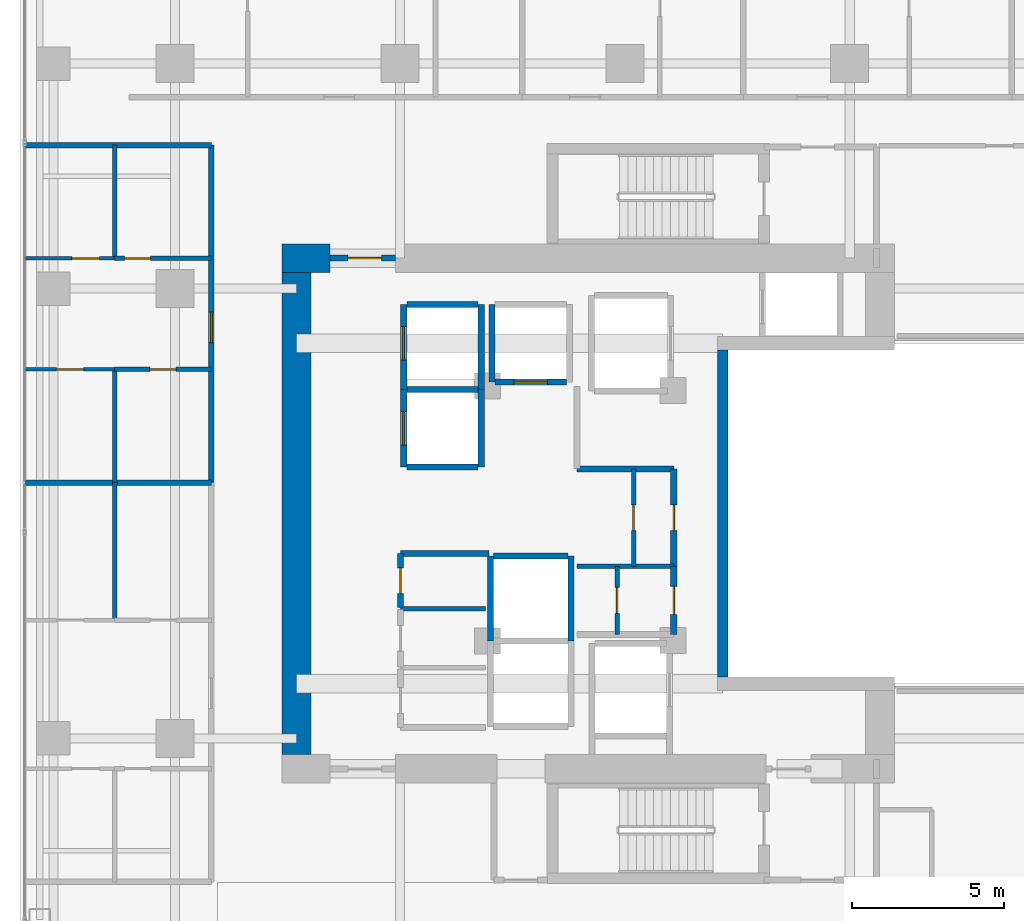
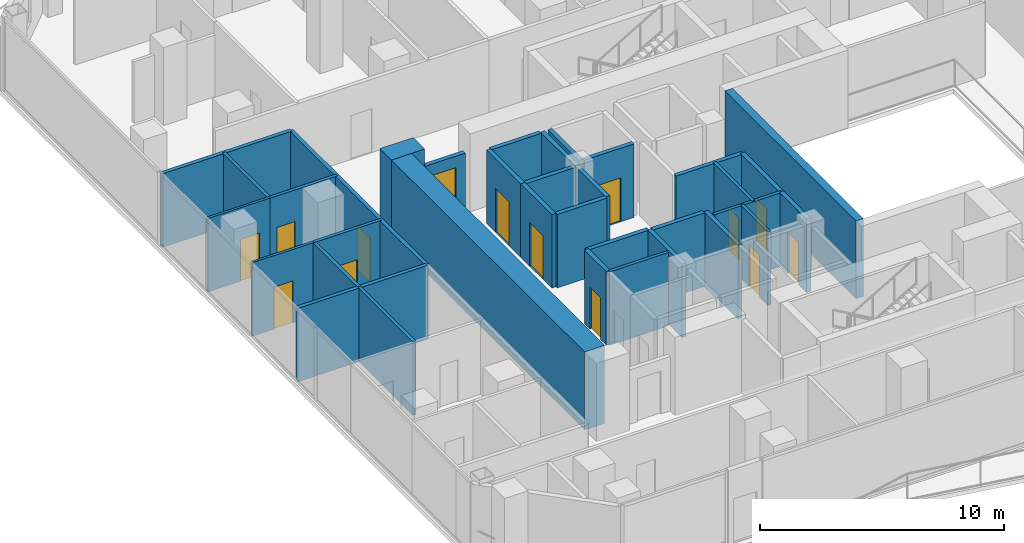
# One storey, part 20 of 26: 35 walls, 14 doors, 14 openings.
"""IFC4 building model written with IfcOpenShell, lengths in metres."""

from ifc_helpers import new_model, si_unit, direction, frame, frame_2d, origin, place, context, subcontext, project, spatial, rectangle, extrude, material, layer, layer_set, type_object, element, fill, save


model = new_model("IFC4")

# Units and contexts
model_context = context("Model", 3, precision=1e-05, world=origin(), true_north=direction((0.0, 1.0)))
body_context = subcontext(model_context, "Body", "Model", "MODEL_VIEW")
ifc_project = project(units=[si_unit("LENGTHUNIT", "METRE"), si_unit("AREAUNIT", "SQUARE_METRE"), si_unit("VOLUMEUNIT", "CUBIC_METRE"), si_unit("PLANEANGLEUNIT", "RADIAN"), si_unit("MASSUNIT", "GRAM", prefix="KILO")], contexts=[model_context])

# Site, building, storey
site_placement = place(None, origin())
site = spatial("IfcSite", under=ifc_project, at=site_placement, CompositionType="ELEMENT")
building_placement = place(site_placement, origin())
building = spatial("IfcBuilding", under=site, at=building_placement, Name="Khorvyn Point Tower", CompositionType="ELEMENT")
storey_placement = place(building_placement, frame((0.0, 0.0, 113.39990234375)))
storey = spatial("IfcBuildingStorey", under=building, at=storey_placement, Name="L28", CompositionType="ELEMENT", Elevation=113.39990234375)

# Wall, opening, door
ifc_material_1 = material(Name="Double acoustic gypsum on twin steel stud", Category="steel")
ifc_layer_1 = layer(ifc_material_1, 0.179931640625)
ifc_layer_set_1 = layer_set([ifc_layer_1], Name="Acoustic Double-Stud Apartment Demising Wall 180")
wall_type_1 = type_object("IfcWallType", Name="Acoustic Double-Stud Apartment Demising Wall 180", PredefinedType="PARTITIONING", material=ifc_layer_set_1)
wall_1_placement = place(storey_placement, frame((-13.60009765625, 1.01806640625, 0.0), z_axis=(0.0, 0.0, 1.0), x_axis=(0.0, 1.0, 0.0)))
wall_1 = element("IfcWall", 1, at=wall_1_placement, inside=storey, type_object=wall_type_1, Name="Wall", PredefinedType="PARTITIONING", context=body_context, shape_type="SweptSolid", body=[
    extrude(rectangle(XDim=11.10205078125, YDim=0.179931640625, at=frame_2d((5.551025390625, 0.0))), origin(), (0.0, 0.0, 1.0), 3.68017578125),
])
opening_1_placement = place(wall_1_placement, frame((4.6064453125, 0.0, 0.0)))
opening_1 = element("IfcOpeningElement", 2, at=opening_1_placement, cuts=wall_1, Name="Opening ID-AP60", PredefinedType="OPENING", context=body_context, shape_type="SweptSolid", body=[
    extrude(rectangle(XDim=1.0, YDim=2.199951171875, at=frame_2d((0.5, 1.10009765625))), frame((0.0, 0.099853515625, 0.0), z_axis=(0.0, -1.0, 0.0), x_axis=(1.0, 0.0, 0.0)), (0.0, 0.0, 1.0), 0.199951171875),
])
ifc_material_2 = material(Name="Engineered hardwood fire-rated leaf", Category="wood")
door_type_1 = type_object("IfcDoorType", Name="Acoustic Solid-Core Timber Apartment Entrance Door 1000x2200", OperationType="NOTDEFINED", PredefinedType="DOOR", material=ifc_material_2)
door_1_placement = place(opening_1_placement, origin())
door_1 = element("IfcDoor", 3, at=door_1_placement, inside=storey, type_object=door_type_1, Name="Door", OperationType="SINGLE_SWING_LEFT", OverallHeight=2.199951171875, OverallWidth=1.0, PredefinedType="DOOR", context=body_context, shape_type="SweptSolid", body=[
    extrude(rectangle(XDim=1.0, YDim=2.199951171875, at=frame_2d((0.5, 1.10009765625))), frame((0.0, 0.02490234375, 0.0), z_axis=(0.0, -1.0, 0.0), x_axis=(1.0, 0.0, 0.0)), (0.0, 0.0, 1.0), 0.050048828125),
])
fill(opening_1, door_1)

# Walls
for number, where, z_axis, x_axis, name in (
    (4, (-19.72998046875, 1.01806640625, 0.0), (0.0, 0.0, 1.0), (1.0, 0.0, 0.0), "Wall"),
    (5, (-19.72998046875, 12.1201171875, 0.0), (0.0, 0.0, 1.0), (1.0, 0.0, 0.0), "Wall"),
):
    element("IfcWall", number, at=place(storey_placement, frame(where, z_axis=z_axis, x_axis=x_axis)), inside=storey, type_object=wall_type_1, Name=name, PredefinedType="PARTITIONING", context=body_context, shape_type="SweptSolid", body=[
        extrude(rectangle(XDim=6.1298828125, YDim=0.179931640625, at=frame_2d((3.06494140625, 0.0))), origin(), (0.0, 0.0, 1.0), 3.68017578125),
    ])

# Wall, opening, door
ifc_material_3 = material(Name="Concrete C40/50", Category="concrete")
ifc_layer_2 = layer(ifc_material_3, 0.199951171875)
ifc_layer_set_2 = layer_set([ifc_layer_2], Name="Concrete C40/50 Fire-Lobby Compartment Wall 200")
wall_type_2 = type_object("IfcWallType", Name="Concrete C40/50 Fire-Lobby Compartment Wall 200", PredefinedType="SOLIDWALL", material=ifc_layer_set_2)
wall_2_placement = place(storey_placement, frame((-9.699951171875, 8.39990234375, 0.0), z_axis=(0.0, 0.0, 1.0), x_axis=(1.0, 0.0, 0.0)))
wall_2 = element("IfcWall", 6, at=wall_2_placement, inside=storey, type_object=wall_type_2, Name="Wall", PredefinedType="SOLIDWALL", context=body_context, shape_type="SweptSolid", body=[
    extrude(rectangle(XDim=2.14990234375, YDim=0.199951171875, at=frame_2d((1.074951171875, 0.0))), origin(), (0.0, 0.0, 1.0), 2.72021484375),
])
opening_2_placement = place(wall_2_placement, frame((0.597900390625, 0.0, 0.0)))
opening_2 = element("IfcOpeningElement", 7, at=opening_2_placement, cuts=wall_2, Name="Opening ID-FL90", PredefinedType="OPENING", context=body_context, shape_type="SweptSolid", body=[
    extrude(rectangle(XDim=1.10009765625, YDim=2.14990234375, at=frame_2d((0.550048828125, 1.074951171875))), frame((0.0, 0.10986328125, 0.0), z_axis=(0.0, -1.0, 0.0), x_axis=(1.0, 0.0, 0.0)), (0.0, 0.0, 1.0), 0.219970703125),
])
ifc_material_4 = material(Name="Galvanised powder-coated steel", Category="steel")
door_type_2 = type_object("IfcDoorType", Name="Fire-Rated Steel Lobby and Stair Door 1100x2150", OperationType="NOTDEFINED", PredefinedType="DOOR", material=ifc_material_4)
door_2_placement = place(opening_2_placement, origin())
door_2 = element("IfcDoor", 8, at=door_2_placement, inside=storey, type_object=door_type_2, Name="Door", OperationType="SINGLE_SWING_RIGHT", OverallHeight=2.14990234375, OverallWidth=1.10009765625, PredefinedType="DOOR", context=body_context, shape_type="SweptSolid", body=[
    extrude(rectangle(XDim=1.10009765625, YDim=2.14990234375, at=frame_2d((0.550048828125, 1.074951171875))), frame((0.0, 0.02490234375, 0.0), z_axis=(0.0, -1.0, 0.0), x_axis=(1.0, 0.0, 0.0)), (0.0, 0.0, 1.0), 0.050048828125),
])
fill(opening_2, door_2)

wall_3_placement = place(storey_placement, frame((1.610107421875, -3.97998046875, 0.0), z_axis=(0.0, 0.0, 1.0), x_axis=(0.0, 1.0, 0.0)))
wall_3 = element("IfcWall", 9, at=wall_3_placement, inside=storey, type_object=wall_type_2, Name="Wall", PredefinedType="SOLIDWALL", context=body_context, shape_type="SweptSolid", body=[
    extrude(rectangle(XDim=2.240966796875, YDim=0.199951171875, at=frame_2d((1.12060546875, 0.0))), origin(), (0.0, 0.0, 1.0), 3.68017578125),
])
opening_3_placement = place(wall_3_placement, frame((0.660400390625, 0.0, 0.0)))
opening_3 = element("IfcOpeningElement", 10, at=opening_3_placement, cuts=wall_3, Name="Opening ID-RS60", PredefinedType="OPENING", context=body_context, shape_type="SweptSolid", body=[
    extrude(rectangle(XDim=0.919921875, YDim=2.10009765625, at=frame_2d((0.4599609375, 1.050048828125))), frame((0.0, 0.10986328125, 0.0), z_axis=(0.0, -1.0, 0.0), x_axis=(1.0, 0.0, 0.0)), (0.0, 0.0, 1.0), 0.219970703125),
])
door_type_3 = type_object("IfcDoorType", Name="Fire-Rated Riser and Store Steel Door 920x2100", OperationType="NOTDEFINED", PredefinedType="DOOR", material=ifc_material_4)
door_3_placement = place(opening_3_placement, origin())
door_3 = element("IfcDoor", 11, at=door_3_placement, inside=storey, type_object=door_type_3, Name="Door", OperationType="SINGLE_SWING_RIGHT", OverallHeight=2.10009765625, OverallWidth=0.919921875, PredefinedType="DOOR", context=body_context, shape_type="SweptSolid", body=[
    extrude(rectangle(XDim=0.919921875, YDim=2.10009765625, at=frame_2d((0.4599609375, 1.050048828125))), frame((0.0, 0.02490234375, 0.0), z_axis=(0.0, -1.0, 0.0), x_axis=(1.0, 0.0, 0.0)), (0.0, 0.0, 1.0), 0.050048828125),
])
fill(opening_3, door_3)

wall_4_placement = place(storey_placement, frame((1.610107421875, -1.739013671875, 0.0), z_axis=(0.0, 0.0, 1.0), x_axis=(0.0, 1.0, 0.0)))
wall_4 = element("IfcWall", 12, at=wall_4_placement, inside=storey, type_object=wall_type_2, Name="Wall", PredefinedType="SOLIDWALL", context=body_context, shape_type="SweptSolid", body=[
    extrude(rectangle(XDim=3.198974609375, YDim=0.199951171875, at=frame_2d((1.599609375, 0.0))), origin(), (0.0, 0.0, 1.0), 3.68017578125),
])
opening_4_placement = place(wall_4_placement, frame((1.174560546875, 0.0, 0.0)))
opening_4 = element("IfcOpeningElement", 13, at=opening_4_placement, cuts=wall_4, Name="Opening ID-WC85", PredefinedType="OPENING", context=body_context, shape_type="SweptSolid", body=[
    extrude(rectangle(XDim=0.85009765625, YDim=2.10009765625, at=frame_2d((0.425048828125, 1.050048828125))), frame((0.0, 0.10986328125, 0.0), z_axis=(0.0, -1.0, 0.0), x_axis=(1.0, 0.0, 0.0)), (0.0, 0.0, 1.0), 0.219970703125),
])
ifc_material_5 = material(Name="High-pressure laminate on moisture-resistant core", Category="wood")
door_type_4 = type_object("IfcDoorType", Name="Moisture-Resistant Accessible Washroom Door 850x2100", OperationType="NOTDEFINED", PredefinedType="DOOR", material=ifc_material_5)
door_4_placement = place(opening_4_placement, origin())
door_4 = element("IfcDoor", 14, at=door_4_placement, inside=storey, type_object=door_type_4, Name="Door", OperationType="SINGLE_SWING_LEFT", OverallHeight=2.10009765625, OverallWidth=0.85009765625, PredefinedType="DOOR", context=body_context, shape_type="SweptSolid", body=[
    extrude(rectangle(XDim=0.85009765625, YDim=2.10009765625, at=frame_2d((0.425048828125, 1.050048828125))), frame((0.0, 0.02490234375, 0.0), z_axis=(0.0, -1.0, 0.0), x_axis=(1.0, 0.0, 0.0)), (0.0, 0.0, 1.0), 0.050048828125),
])
fill(opening_4, door_4)

wall_5_placement = place(storey_placement, frame((-7.3798828125, -3.10009765625, 0.0), z_axis=(0.0, 0.0, 1.0), x_axis=(0.0, 1.0, 0.0)))
wall_5 = element("IfcWall", 15, at=wall_5_placement, inside=storey, type_object=wall_type_2, Name="Wall", PredefinedType="SOLIDWALL", context=body_context, shape_type="SweptSolid", body=[
    extrude(rectangle(XDim=1.780029296875, YDim=0.199951171875, at=frame_2d((0.89013671875, 0.0))), origin(), (0.0, 0.0, 1.0), 3.68017578125),
])
opening_5_placement = place(wall_5_placement, frame((0.465087890625, 0.0, 0.0)))
opening_5 = element("IfcOpeningElement", 16, at=opening_5_placement, cuts=wall_5, Name="Opening ID-WC85", PredefinedType="OPENING", context=body_context, shape_type="SweptSolid", body=[
    extrude(rectangle(XDim=0.85009765625, YDim=2.10009765625, at=frame_2d((0.425048828125, 1.050048828125))), frame((0.0, 0.10986328125, 0.0), z_axis=(0.0, -1.0, 0.0), x_axis=(1.0, 0.0, 0.0)), (0.0, 0.0, 1.0), 0.219970703125),
])
door_5_placement = place(opening_5_placement, origin())
door_5 = element("IfcDoor", 17, at=door_5_placement, inside=storey, type_object=door_type_4, Name="Door", OperationType="SINGLE_SWING_RIGHT", OverallHeight=2.10009765625, OverallWidth=0.85009765625, PredefinedType="DOOR", context=body_context, shape_type="SweptSolid", body=[
    extrude(rectangle(XDim=0.85009765625, YDim=2.10009765625, at=frame_2d((0.425048828125, 1.050048828125))), frame((0.0, 0.02490234375, 0.0), z_axis=(0.0, -1.0, 0.0), x_axis=(1.0, 0.0, 0.0)), (0.0, 0.0, 1.0), 0.050048828125),
])
fill(opening_5, door_5)

# Walls
wall_6_placement = place(storey_placement, frame((-7.3798828125, -1.320068359375, 0.0), z_axis=(0.0, 0.0, 1.0), x_axis=(1.0, 0.0, 0.0)))
element("IfcWall", 18, at=wall_6_placement, inside=storey, type_object=wall_type_2, Name="Wall", PredefinedType="SOLIDWALL", context=body_context, shape_type="SweptSolid", body=[
    extrude(rectangle(XDim=2.909912109375, YDim=0.199951171875, at=frame_2d((1.455078125, 0.0))), origin(), (0.0, 0.0, 1.0), 3.68017578125),
])
wall_7_placement = place(storey_placement, frame((-1.580078125, 1.4599609375, 0.0), z_axis=(0.0, 0.0, 1.0), x_axis=(1.0, 0.0, 0.0)))
element("IfcWall", 19, at=wall_7_placement, inside=storey, type_object=wall_type_2, Name="Wall", PredefinedType="SOLIDWALL", context=body_context, shape_type="SweptSolid", body=[
    extrude(rectangle(XDim=3.190185546875, YDim=0.199951171875, at=frame_2d((1.59521484375, 0.0))), origin(), (0.0, 0.0, 1.0), 3.68017578125),
])
ifc_layer_3 = layer(ifc_material_3, 0.35009765625)
ifc_layer_set_3 = layer_set([ifc_layer_3], Name="Concrete C40/50 Stair Shaft Structural Wall 350")
wall_type_3 = type_object("IfcWallType", Name="Concrete C40/50 Stair Shaft Structural Wall 350", PredefinedType="SHEAR", material=ifc_layer_set_3)
wall_8_placement = place(storey_placement, frame((3.219970703125, -5.375, 0.0), z_axis=(0.0, 0.0, 1.0), x_axis=(0.0, 1.0, 0.0)))
element("IfcWall", 20, at=wall_8_placement, inside=storey, type_object=wall_type_3, Name="Wall", PredefinedType="SHEAR", context=body_context, shape_type="SweptSolid", body=[
    extrude(rectangle(XDim=10.75, YDim=0.35009765625, at=frame_2d((5.375, 0.0))), origin(), (0.0, 0.0, 1.0), 3.900146484375),
])

# Wall, opening, door
ifc_layer_4 = layer(ifc_material_3, 0.199951171875)
ifc_layer_set_4 = layer_set([ifc_layer_4], Name="Concrete C40/50 Structural Hoistway and Stair Shaft Wall 200")
wall_type_4 = type_object("IfcWallType", Name="Concrete C40/50 Structural Hoistway and Stair Shaft Wall 200", PredefinedType="SHEAR", material=ifc_layer_set_4)
wall_9_placement = place(storey_placement, frame((-7.27490234375, 1.52490234375, 0.0), z_axis=(0.0, 0.0, 1.0), x_axis=(0.0, 1.0, 0.0)))
wall_9 = element("IfcWall", 21, at=wall_9_placement, inside=storey, type_object=wall_type_4, Name="Wall", PredefinedType="SHEAR", context=body_context, shape_type="SweptSolid", body=[
    extrude(rectangle(XDim=2.550048828125, YDim=0.199951171875, at=frame_2d((1.27490234375, 0.0))), origin(), (0.0, 0.0, 1.0), 3.68017578125),
])
opening_6_placement = place(wall_9_placement, frame((0.72509765625, 0.0, 0.0)))
opening_6 = element("IfcOpeningElement", 22, at=opening_6_placement, cuts=wall_9, Name="Opening LD-1122", PredefinedType="OPENING", context=body_context, shape_type="SweptSolid", body=[
    extrude(rectangle(XDim=1.10009765625, YDim=2.199951171875, at=frame_2d((0.550048828125, 1.10009765625))), frame((0.0, 0.10986328125, 0.0), z_axis=(0.0, -1.0, 0.0), x_axis=(1.0, 0.0, 0.0)), (0.0, 0.0, 1.0), 0.219970703125),
])
ifc_material_6 = material(Name="Stainless steel 1.4301", Category="steel")
door_type_5 = type_object("IfcDoorType", Name="Stainless Steel Automatic Sliding Lift Landing Door 1100x2200", OperationType="SLIDING_TO_LEFT", PredefinedType="DOOR", material=ifc_material_6)
door_6_placement = place(opening_6_placement, origin())
door_6 = element("IfcDoor", 23, at=door_6_placement, inside=storey, type_object=door_type_5, Name="L28 RM-01 Sliding Lift Landing Door", OperationType="SLIDING_TO_LEFT", OverallHeight=2.199951171875, OverallWidth=1.10009765625, PredefinedType="DOOR", context=body_context, shape_type="SweptSolid", body=[
    extrude(rectangle(XDim=1.10009765625, YDim=2.199951171875, at=frame_2d((0.550048828125, 1.10009765625))), frame((0.0, 0.02490234375, 0.0), z_axis=(0.0, -1.0, 0.0), x_axis=(1.0, 0.0, 0.0)), (0.0, 0.0, 1.0), 0.050048828125),
])
fill(opening_6, door_6)

# Walls
wall_10_placement = place(storey_placement, frame((-4.72509765625, 1.52490234375, 0.0), z_axis=(0.0, 0.0, 1.0), x_axis=(0.0, 1.0, 0.0)))
element("IfcWall", 24, at=wall_10_placement, inside=storey, type_object=wall_type_4, Name="Wall", PredefinedType="SHEAR", context=body_context, shape_type="SweptSolid", body=[
    extrude(rectangle(XDim=2.550048828125, YDim=0.199951171875, at=frame_2d((1.27490234375, 0.0))), origin(), (0.0, 0.0, 1.0), 3.68017578125),
])
for number, where, z_axis, x_axis, name in (
    (25, (-7.175048828125, 1.52490234375, 0.0), (0.0, 0.0, 1.0), (1.0, 0.0, 0.0), "Wall"),
    (26, (-7.175048828125, 4.074951171875, 0.0), (0.0, 0.0, 1.0), (1.0, 0.0, 0.0), "Wall"),
):
    element("IfcWall", number, at=place(storey_placement, frame(where, z_axis=z_axis, x_axis=x_axis)), inside=storey, type_object=wall_type_4, Name=name, PredefinedType="SHEAR", context=body_context, shape_type="SweptSolid", body=[
        extrude(rectangle(XDim=2.35009765625, YDim=0.199951171875, at=frame_2d((1.175048828125, 0.0))), origin(), (0.0, 0.0, 1.0), 3.68017578125),
    ])

# Wall, opening, door
wall_11_placement = place(storey_placement, frame((-7.27490234375, 4.074951171875, 0.0), z_axis=(0.0, 0.0, 1.0), x_axis=(0.0, 1.0, 0.0)))
wall_11 = element("IfcWall", 27, at=wall_11_placement, inside=storey, type_object=wall_type_4, Name="Wall", PredefinedType="SHEAR", context=body_context, shape_type="SweptSolid", body=[
    extrude(rectangle(XDim=2.800048828125, YDim=0.199951171875, at=frame_2d((1.39990234375, 0.0))), origin(), (0.0, 0.0, 1.0), 3.68017578125),
])
opening_7_placement = place(wall_11_placement, frame((0.97509765625, 0.0, 0.0)))
opening_7 = element("IfcOpeningElement", 28, at=opening_7_placement, cuts=wall_11, Name="Opening LD-1122", PredefinedType="OPENING", context=body_context, shape_type="SweptSolid", body=[
    extrude(rectangle(XDim=1.10009765625, YDim=2.199951171875, at=frame_2d((0.550048828125, 1.10009765625))), frame((0.0, 0.10986328125, 0.0), z_axis=(0.0, -1.0, 0.0), x_axis=(1.0, 0.0, 0.0)), (0.0, 0.0, 1.0), 0.219970703125),
])
door_7_placement = place(opening_7_placement, origin())
door_7 = element("IfcDoor", 29, at=door_7_placement, inside=storey, type_object=door_type_5, Name="L28 RM-02 Sliding Lift Landing Door", OperationType="SLIDING_TO_LEFT", OverallHeight=2.199951171875, OverallWidth=1.10009765625, PredefinedType="DOOR", context=body_context, shape_type="SweptSolid", body=[
    extrude(rectangle(XDim=1.10009765625, YDim=2.199951171875, at=frame_2d((0.550048828125, 1.10009765625))), frame((0.0, 0.02490234375, 0.0), z_axis=(0.0, -1.0, 0.0), x_axis=(1.0, 0.0, 0.0)), (0.0, 0.0, 1.0), 0.050048828125),
])
fill(opening_7, door_7)

# Walls
wall_12_placement = place(storey_placement, frame((-4.72509765625, 4.074951171875, 0.0), z_axis=(0.0, 0.0, 1.0), x_axis=(0.0, 1.0, 0.0)))
element("IfcWall", 30, at=wall_12_placement, inside=storey, type_object=wall_type_4, Name="Wall", PredefinedType="SHEAR", context=body_context, shape_type="SweptSolid", body=[
    extrude(rectangle(XDim=2.800048828125, YDim=0.199951171875, at=frame_2d((1.39990234375, 0.0))), origin(), (0.0, 0.0, 1.0), 3.68017578125),
])
wall_13_placement = place(storey_placement, frame((-7.175048828125, 6.875, 0.0), z_axis=(0.0, 0.0, 1.0), x_axis=(1.0, 0.0, 0.0)))
element("IfcWall", 31, at=wall_13_placement, inside=storey, type_object=wall_type_4, Name="Wall", PredefinedType="SHEAR", context=body_context, shape_type="SweptSolid", body=[
    extrude(rectangle(XDim=2.35009765625, YDim=0.199951171875, at=frame_2d((1.175048828125, 0.0))), origin(), (0.0, 0.0, 1.0), 3.68017578125),
])
wall_14_placement = place(storey_placement, frame((-4.375, 4.324951171875, 0.0), z_axis=(0.0, 0.0, 1.0), x_axis=(0.0, 1.0, 0.0)))
element("IfcWall", 32, at=wall_14_placement, inside=storey, type_object=wall_type_4, Name="Wall", PredefinedType="SHEAR", context=body_context, shape_type="SweptSolid", body=[
    extrude(rectangle(XDim=2.550048828125, YDim=0.199951171875, at=frame_2d((1.27490234375, 0.0))), origin(), (0.0, 0.0, 1.0), 3.68017578125),
])

# Wall, opening, door
wall_15_placement = place(storey_placement, frame((-4.27490234375, 4.324951171875, 0.0), z_axis=(0.0, 0.0, 1.0), x_axis=(1.0, 0.0, 0.0)))
wall_15 = element("IfcWall", 33, at=wall_15_placement, inside=storey, type_object=wall_type_4, Name="Wall", PredefinedType="SHEAR", context=body_context, shape_type="SweptSolid", body=[
    extrude(rectangle(XDim=2.349853515625, YDim=0.199951171875, at=frame_2d((1.1748046875, 0.0))), origin(), (0.0, 0.0, 1.0), 3.68017578125),
])
opening_8_placement = place(wall_15_placement, frame((0.625, 0.0, 0.0)))
opening_8 = element("IfcOpeningElement", 34, at=opening_8_placement, cuts=wall_15, Name="Opening LD-1122", PredefinedType="OPENING", context=body_context, shape_type="SweptSolid", body=[
    extrude(rectangle(XDim=1.10009765625, YDim=2.199951171875, at=frame_2d((0.550048828125, 1.10009765625))), frame((0.0, 0.10986328125, 0.0), z_axis=(0.0, -1.0, 0.0), x_axis=(1.0, 0.0, 0.0)), (0.0, 0.0, 1.0), 0.219970703125),
])
door_8_placement = place(opening_8_placement, origin())
door_8 = element("IfcDoor", 35, at=door_8_placement, inside=storey, type_object=door_type_5, Name="L28 RM-03 Sliding Lift Landing Door", OperationType="SLIDING_TO_LEFT", OverallHeight=2.199951171875, OverallWidth=1.10009765625, PredefinedType="DOOR", context=body_context, shape_type="SweptSolid", body=[
    extrude(rectangle(XDim=1.10009765625, YDim=2.199951171875, at=frame_2d((0.550048828125, 1.10009765625))), frame((0.0, 0.02490234375, 0.0), z_axis=(0.0, -1.0, 0.0), x_axis=(1.0, 0.0, 0.0)), (0.0, 0.0, 1.0), 0.050048828125),
])
fill(opening_8, door_8)

# Walls
for number, where, z_axis, x_axis, name in (
    (36, (-4.425048828125, -4.199951171875, 0.0), (0.0, 0.0, 1.0), (0.0, 1.0, 0.0), "Wall"),
    (37, (-1.77490234375, -4.199951171875, 0.0), (0.0, 0.0, 1.0), (0.0, 1.0, 0.0), "Wall"),
):
    element("IfcWall", number, at=place(storey_placement, frame(where, z_axis=z_axis, x_axis=x_axis)), inside=storey, type_object=wall_type_4, Name=name, PredefinedType="SHEAR", context=body_context, shape_type="SweptSolid", body=[
        extrude(rectangle(XDim=2.800048828125, YDim=0.199951171875, at=frame_2d((1.39990234375, 0.0))), origin(), (0.0, 0.0, 1.0), 3.68017578125),
    ])
wall_16_placement = place(storey_placement, frame((-4.324951171875, -1.39990234375, 0.0), z_axis=(0.0, 0.0, 1.0), x_axis=(1.0, 0.0, 0.0)))
element("IfcWall", 38, at=wall_16_placement, inside=storey, type_object=wall_type_4, Name="Wall", PredefinedType="SHEAR", context=body_context, shape_type="SweptSolid", body=[
    extrude(rectangle(XDim=2.449951171875, YDim=0.199951171875, at=frame_2d((1.22509765625, 0.0))), origin(), (0.0, 0.0, 1.0), 3.68017578125),
])
ifc_material_7 = material(Name="Concrete C50/60", Category="concrete")
ifc_layer_5 = layer(ifc_material_7, 0.949951171875)
ifc_layer_set_5 = layer_set([ifc_layer_5], Name="Concrete C50/60 Core Shear Wall 950")
wall_type_5 = type_object("IfcWallType", Name="Concrete C50/60 Core Shear Wall 950", PredefinedType="SHEAR", material=ifc_layer_set_5)
wall_17_placement = place(storey_placement, frame((-11.27490234375, 8.39990234375, 0.0), z_axis=(0.0, 0.0, 1.0), x_axis=(1.0, 0.0, 0.0)))
element("IfcWall", 39, at=wall_17_placement, inside=storey, type_object=wall_type_5, Name="Wall", PredefinedType="SHEAR", context=body_context, shape_type="SweptSolid", body=[
    extrude(rectangle(XDim=1.574951171875, YDim=0.949951171875, at=frame_2d((0.78759765625, 0.0))), origin(), (0.0, 0.0, 1.0), 3.900146484375),
])
wall_18_placement = place(storey_placement, frame((-10.800048828125, -7.925048828125, 0.0), z_axis=(0.0, 0.0, 1.0), x_axis=(0.0, 1.0, 0.0)))
element("IfcWall", 40, at=wall_18_placement, inside=storey, type_object=wall_type_5, Name="Wall", PredefinedType="SHEAR", context=body_context, shape_type="SweptSolid", body=[
    extrude(rectangle(XDim=15.85009765625, YDim=0.949951171875, at=frame_2d((7.925048828125, 0.0))), origin(), (0.0, 0.0, 1.0), 3.900146484375),
])

# Wall, opening, door
ifc_material_8 = material(Name="Gypsum plasterboard on steel stud", Category="steel")
ifc_layer_6 = layer(ifc_material_8, 0.1201171875)
ifc_layer_set_6 = layer_set([ifc_layer_6], Name="Gypsum Acoustic Stud Room Partition Wall 120")
wall_type_6 = type_object("IfcWallType", Name="Gypsum Acoustic Stud Room Partition Wall 120", PredefinedType="PARTITIONING", material=ifc_layer_set_6)
wall_19_placement = place(storey_placement, frame((-19.72998046875, 4.743896484375, 0.0), z_axis=(0.0, 0.0, 1.0), x_axis=(1.0, 0.0, 0.0)))
wall_19 = element("IfcWall", 41, at=wall_19_placement, inside=storey, type_object=wall_type_6, Name="Wall", PredefinedType="PARTITIONING", context=body_context, shape_type="SweptSolid", body=[
    extrude(rectangle(XDim=2.946044921875, YDim=0.1201171875, at=frame_2d((1.47314453125, 0.0))), origin(), (0.0, 0.0, 1.0), 3.68017578125),
])
opening_9_placement = place(wall_19_placement, frame((1.02294921875, 0.0, 0.0)))
opening_9 = element("IfcOpeningElement", 42, at=opening_9_placement, cuts=wall_19, Name="Opening ID-RM90", PredefinedType="OPENING", context=body_context, shape_type="SweptSolid", body=[
    extrude(rectangle(XDim=0.89990234375, YDim=2.10009765625, at=frame_2d((0.449951171875, 1.050048828125))), frame((0.0, 0.070068359375, 0.0), z_axis=(0.0, -1.0, 0.0), x_axis=(1.0, 0.0, 0.0)), (0.0, 0.0, 1.0), 0.14013671875),
])
ifc_material_9 = material(Name="Engineered oak veneer timber", Category="wood")
door_type_6 = type_object("IfcDoorType", Name="Flush Engineered Timber Room Door 900x2100", OperationType="NOTDEFINED", PredefinedType="DOOR", material=ifc_material_9)
door_9_placement = place(opening_9_placement, origin())
door_9 = element("IfcDoor", 43, at=door_9_placement, inside=storey, type_object=door_type_6, Name="Door", OperationType="SINGLE_SWING_RIGHT", OverallHeight=2.10009765625, OverallWidth=0.89990234375, PredefinedType="DOOR", context=body_context, shape_type="SweptSolid", body=[
    extrude(rectangle(XDim=0.89990234375, YDim=2.10009765625, at=frame_2d((0.449951171875, 1.050048828125))), frame((0.0, 0.02490234375, 0.0), z_axis=(0.0, -1.0, 0.0), x_axis=(1.0, 0.0, 0.0)), (0.0, 0.0, 1.0), 0.050048828125),
])
fill(opening_9, door_9)

wall_20_placement = place(storey_placement, frame((-19.72998046875, 8.39404296875, 0.0), z_axis=(0.0, 0.0, 1.0), x_axis=(1.0, 0.0, 0.0)))
wall_20 = element("IfcWall", 44, at=wall_20_placement, inside=storey, type_object=wall_type_6, Name="Wall", PredefinedType="PARTITIONING", context=body_context, shape_type="SweptSolid", body=[
    extrude(rectangle(XDim=2.946044921875, YDim=0.1201171875, at=frame_2d((1.47314453125, 0.0))), origin(), (0.0, 0.0, 1.0), 3.68017578125),
])
opening_10_placement = place(wall_20_placement, frame((1.540771484375, 0.0, 0.0)))
opening_10 = element("IfcOpeningElement", 45, at=opening_10_placement, cuts=wall_20, Name="Opening ID-RM90", PredefinedType="OPENING", context=body_context, shape_type="SweptSolid", body=[
    extrude(rectangle(XDim=0.89990234375, YDim=2.10009765625, at=frame_2d((0.449951171875, 1.050048828125))), frame((0.0, 0.070068359375, 0.0), z_axis=(0.0, -1.0, 0.0), x_axis=(1.0, 0.0, 0.0)), (0.0, 0.0, 1.0), 0.14013671875),
])
door_10_placement = place(opening_10_placement, origin())
door_10 = element("IfcDoor", 46, at=door_10_placement, inside=storey, type_object=door_type_6, Name="Door", OperationType="SINGLE_SWING_LEFT", OverallHeight=2.10009765625, OverallWidth=0.89990234375, PredefinedType="DOOR", context=body_context, shape_type="SweptSolid", body=[
    extrude(rectangle(XDim=0.89990234375, YDim=2.10009765625, at=frame_2d((0.449951171875, 1.050048828125))), frame((0.0, 0.02490234375, 0.0), z_axis=(0.0, -1.0, 0.0), x_axis=(1.0, 0.0, 0.0)), (0.0, 0.0, 1.0), 0.050048828125),
])
fill(opening_10, door_10)

ifc_material_10 = material(Name="Moisture-resistant gypsum and cement board", Category="gypsum")
ifc_layer_7 = layer(ifc_material_10, 0.14990234375)
ifc_layer_set_7 = layer_set([ifc_layer_7], Name="Moisture-Resistant Wet-Room Partition Wall 150")
wall_type_7 = type_object("IfcWallType", Name="Moisture-Resistant Wet-Room Partition Wall 150", PredefinedType="PARTITIONING", material=ifc_layer_set_7)
wall_21_placement = place(storey_placement, frame((-0.25, -3.97998046875, 0.0), z_axis=(0.0, 0.0, 1.0), x_axis=(0.0, 1.0, 0.0)))
wall_21 = element("IfcWall", 47, at=wall_21_placement, inside=storey, type_object=wall_type_7, Name="Wall", PredefinedType="PARTITIONING", context=body_context, shape_type="SweptSolid", body=[
    extrude(rectangle(XDim=2.240966796875, YDim=0.14990234375, at=frame_2d((1.12060546875, 0.0))), origin(), (0.0, 0.0, 1.0), 3.68017578125),
])
opening_11_placement = place(wall_21_placement, frame((0.695556640625, 0.0, 0.0)))
opening_11 = element("IfcOpeningElement", 48, at=opening_11_placement, cuts=wall_21, Name="Opening ID-WC85", PredefinedType="OPENING", context=body_context, shape_type="SweptSolid", body=[
    extrude(rectangle(XDim=0.85009765625, YDim=2.10009765625, at=frame_2d((0.425048828125, 1.050048828125))), frame((0.0, 0.0849609375, 0.0), z_axis=(0.0, -1.0, 0.0), x_axis=(1.0, 0.0, 0.0)), (0.0, 0.0, 1.0), 0.169921875),
])
door_11_placement = place(opening_11_placement, origin())
door_11 = element("IfcDoor", 49, at=door_11_placement, inside=storey, type_object=door_type_4, Name="Door", OperationType="SINGLE_SWING_RIGHT", OverallHeight=2.10009765625, OverallWidth=0.85009765625, PredefinedType="DOOR", context=body_context, shape_type="SweptSolid", body=[
    extrude(rectangle(XDim=0.85009765625, YDim=2.10009765625, at=frame_2d((0.425048828125, 1.050048828125))), frame((0.0, 0.02490234375, 0.0), z_axis=(0.0, -1.0, 0.0), x_axis=(1.0, 0.0, 0.0)), (0.0, 0.0, 1.0), 0.050048828125),
])
fill(opening_11, door_11)

wall_22_placement = place(storey_placement, frame((0.2900390625, -1.739013671875, 0.0), z_axis=(0.0, 0.0, 1.0), x_axis=(0.0, 1.0, 0.0)))
wall_22 = element("IfcWall", 50, at=wall_22_placement, inside=storey, type_object=wall_type_7, Name="Wall", PredefinedType="PARTITIONING", context=body_context, shape_type="SweptSolid", body=[
    extrude(rectangle(XDim=3.198974609375, YDim=0.14990234375, at=frame_2d((1.599609375, 0.0))), origin(), (0.0, 0.0, 1.0), 3.68017578125),
])
opening_12_placement = place(wall_22_placement, frame((1.174560546875, 0.0, 0.0)))
opening_12 = element("IfcOpeningElement", 51, at=opening_12_placement, cuts=wall_22, Name="Opening ID-WC85", PredefinedType="OPENING", context=body_context, shape_type="SweptSolid", body=[
    extrude(rectangle(XDim=0.85009765625, YDim=2.10009765625, at=frame_2d((0.425048828125, 1.050048828125))), frame((0.0, 0.0849609375, 0.0), z_axis=(0.0, -1.0, 0.0), x_axis=(1.0, 0.0, 0.0)), (0.0, 0.0, 1.0), 0.169921875),
])
door_12_placement = place(opening_12_placement, origin())
door_12 = element("IfcDoor", 52, at=door_12_placement, inside=storey, type_object=door_type_4, Name="Door", OperationType="SINGLE_SWING_LEFT", OverallHeight=2.10009765625, OverallWidth=0.85009765625, PredefinedType="DOOR", context=body_context, shape_type="SweptSolid", body=[
    extrude(rectangle(XDim=0.85009765625, YDim=2.10009765625, at=frame_2d((0.425048828125, 1.050048828125))), frame((0.0, 0.02490234375, 0.0), z_axis=(0.0, -1.0, 0.0), x_axis=(1.0, 0.0, 0.0)), (0.0, 0.0, 1.0), 0.050048828125),
])
fill(opening_12, door_12)

wall_23_placement = place(storey_placement, frame((-16.783935546875, 8.39404296875, 0.0), z_axis=(0.0, 0.0, 1.0), x_axis=(1.0, 0.0, 0.0)))
wall_23 = element("IfcWall", 53, at=wall_23_placement, inside=storey, type_object=wall_type_7, Name="Wall", PredefinedType="PARTITIONING", context=body_context, shape_type="SweptSolid", body=[
    extrude(rectangle(XDim=3.183837890625, YDim=0.14990234375, at=frame_2d((1.591796875, 0.0))), origin(), (0.0, 0.0, 1.0), 3.68017578125),
])
opening_13_placement = place(wall_23_placement, frame((0.327880859375, 0.0, 0.0)))
opening_13 = element("IfcOpeningElement", 54, at=opening_13_placement, cuts=wall_23, Name="Opening ID-WC85", PredefinedType="OPENING", context=body_context, shape_type="SweptSolid", body=[
    extrude(rectangle(XDim=0.85009765625, YDim=2.10009765625, at=frame_2d((0.425048828125, 1.050048828125))), frame((0.0, 0.0849609375, 0.0), z_axis=(0.0, -1.0, 0.0), x_axis=(1.0, 0.0, 0.0)), (0.0, 0.0, 1.0), 0.169921875),
])
door_13_placement = place(opening_13_placement, origin())
door_13 = element("IfcDoor", 55, at=door_13_placement, inside=storey, type_object=door_type_4, Name="Door", OperationType="SINGLE_SWING_RIGHT", OverallHeight=2.10009765625, OverallWidth=0.85009765625, PredefinedType="DOOR", context=body_context, shape_type="SweptSolid", body=[
    extrude(rectangle(XDim=0.85009765625, YDim=2.10009765625, at=frame_2d((0.425048828125, 1.050048828125))), frame((0.0, 0.02490234375, 0.0), z_axis=(0.0, -1.0, 0.0), x_axis=(1.0, 0.0, 0.0)), (0.0, 0.0, 1.0), 0.050048828125),
])
fill(opening_13, door_13)

wall_24_placement = place(storey_placement, frame((-16.783935546875, 4.743896484375, 0.0), z_axis=(0.0, 0.0, 1.0), x_axis=(1.0, 0.0, 0.0)))
wall_24 = element("IfcWall", 56, at=wall_24_placement, inside=storey, type_object=wall_type_7, Name="Wall", PredefinedType="PARTITIONING", context=body_context, shape_type="SweptSolid", body=[
    extrude(rectangle(XDim=3.183837890625, YDim=0.14990234375, at=frame_2d((1.591796875, 0.0))), origin(), (0.0, 0.0, 1.0), 3.68017578125),
])
opening_14_placement = place(wall_24_placement, frame((1.1669921875, 0.0, 0.0)))
opening_14 = element("IfcOpeningElement", 57, at=opening_14_placement, cuts=wall_24, Name="Opening ID-WC85", PredefinedType="OPENING", context=body_context, shape_type="SweptSolid", body=[
    extrude(rectangle(XDim=0.85009765625, YDim=2.10009765625, at=frame_2d((0.425048828125, 1.050048828125))), frame((0.0, 0.0849609375, 0.0), z_axis=(0.0, -1.0, 0.0), x_axis=(1.0, 0.0, 0.0)), (0.0, 0.0, 1.0), 0.169921875),
])
door_14_placement = place(opening_14_placement, origin())
door_14 = element("IfcDoor", 58, at=door_14_placement, inside=storey, type_object=door_type_4, Name="Door", OperationType="SINGLE_SWING_LEFT", OverallHeight=2.10009765625, OverallWidth=0.85009765625, PredefinedType="DOOR", context=body_context, shape_type="SweptSolid", body=[
    extrude(rectangle(XDim=0.85009765625, YDim=2.10009765625, at=frame_2d((0.425048828125, 1.050048828125))), frame((0.0, 0.02490234375, 0.0), z_axis=(0.0, -1.0, 0.0), x_axis=(1.0, 0.0, 0.0)), (0.0, 0.0, 1.0), 0.050048828125),
])
fill(opening_14, door_14)

# Walls
wall_25_placement = place(storey_placement, frame((-1.580078125, -1.739013671875, 0.0), z_axis=(0.0, 0.0, 1.0), x_axis=(1.0, 0.0, 0.0)))
element("IfcWall", 59, at=wall_25_placement, inside=storey, type_object=wall_type_7, Name="Wall", PredefinedType="PARTITIONING", context=body_context, shape_type="SweptSolid", body=[
    extrude(rectangle(XDim=3.190185546875, YDim=0.14990234375, at=frame_2d((1.59521484375, 0.0))), origin(), (0.0, 0.0, 1.0), 3.68017578125),
])
wall_26_placement = place(storey_placement, frame((-7.3798828125, -3.1298828125, 0.0), z_axis=(0.0, 0.0, 1.0), x_axis=(1.0, 0.0, 0.0)))
element("IfcWall", 60, at=wall_26_placement, inside=storey, type_object=wall_type_7, Name="Wall", PredefinedType="PARTITIONING", context=body_context, shape_type="SweptSolid", body=[
    extrude(rectangle(XDim=2.7998046875, YDim=0.14990234375, at=frame_2d((1.39990234375, 0.0))), origin(), (0.0, 0.0, 1.0), 3.68017578125),
])
wall_27_placement = place(storey_placement, frame((-16.783935546875, -3.508056640625, 0.0), z_axis=(0.0, 0.0, 1.0), x_axis=(0.0, 1.0, 0.0)))
element("IfcWall", 61, at=wall_27_placement, inside=storey, type_object=wall_type_7, Name="Wall", PredefinedType="PARTITIONING", context=body_context, shape_type="SweptSolid", body=[
    extrude(rectangle(XDim=4.526123046875, YDim=0.14990234375, at=frame_2d((2.26318359375, 0.0))), origin(), (0.0, 0.0, 1.0), 3.68017578125),
])
wall_28_placement = place(storey_placement, frame((-16.783935546875, 1.01806640625, 0.0), z_axis=(0.0, 0.0, 1.0), x_axis=(0.0, 1.0, 0.0)))
element("IfcWall", 62, at=wall_28_placement, inside=storey, type_object=wall_type_7, Name="Wall", PredefinedType="PARTITIONING", context=body_context, shape_type="SweptSolid", body=[
    extrude(rectangle(XDim=3.725830078125, YDim=0.14990234375, at=frame_2d((1.86279296875, 0.0))), origin(), (0.0, 0.0, 1.0), 3.68017578125),
])
wall_29_placement = place(storey_placement, frame((-16.783935546875, 8.39404296875, 0.0), z_axis=(0.0, 0.0, 1.0), x_axis=(0.0, 1.0, 0.0)))
element("IfcWall", 63, at=wall_29_placement, inside=storey, type_object=wall_type_7, Name="Wall", PredefinedType="PARTITIONING", context=body_context, shape_type="SweptSolid", body=[
    extrude(rectangle(XDim=3.72607421875, YDim=0.14990234375, at=frame_2d((1.863037109375, 0.0))), origin(), (0.0, 0.0, 1.0), 3.68017578125),
])

save(model, "model.ifc")
